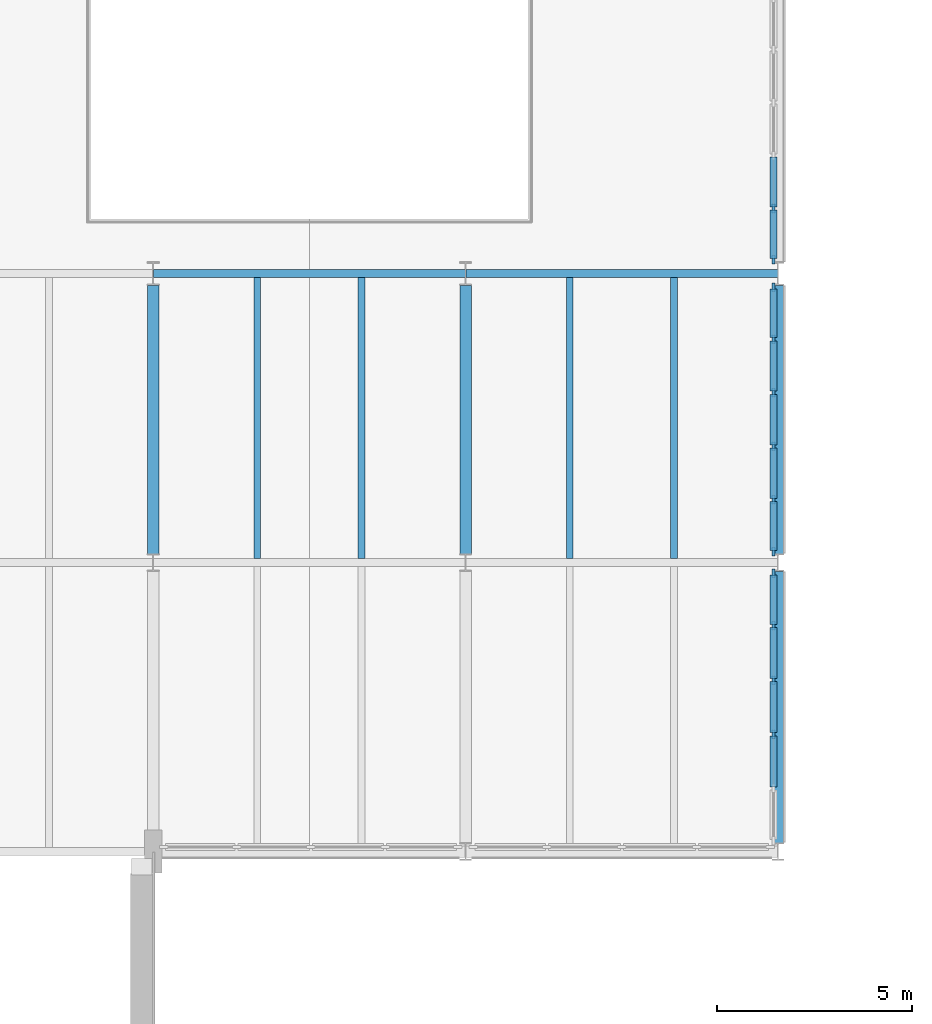
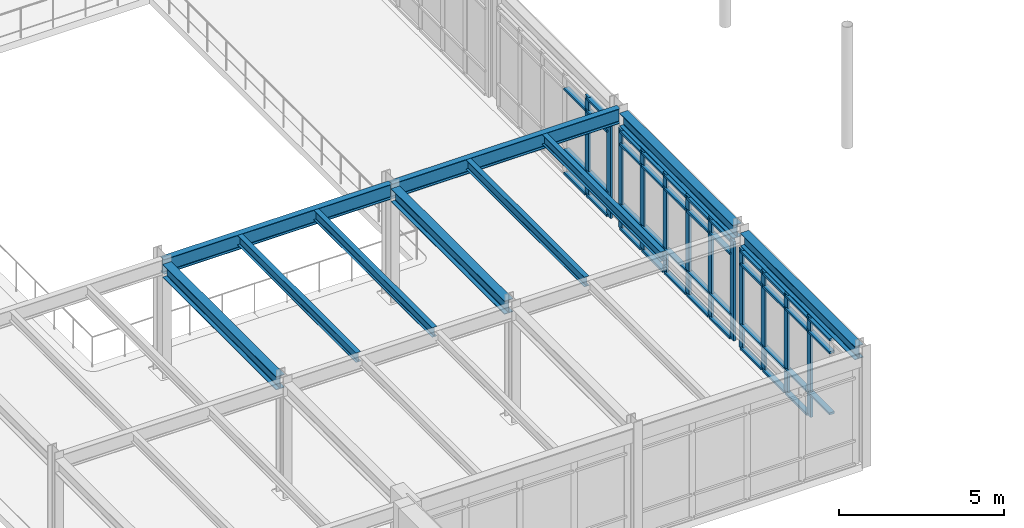
# One storey, part 21 of 75: 54 members, 10 beams, 3 elements without a shape of their own.
"""IFC4 building model written with IfcOpenShell, lengths in metres."""

from ifc_helpers import new_model, si_unit, direction, frame, origin, origin_2d, place, context, subcontext, project, spatial, rectangle, i_section, extrude, material, layer, layer_set, material_profile, profile_set, type_object, element, aggregate, save


model = new_model("IFC4")

# Units and contexts
model_context = context("Model", 3, precision=1e-05, world=origin(), true_north=direction((0.0, 1.0)))
body_context = subcontext(model_context, "Body", "Model", "MODEL_VIEW")
ifc_project = project(units=[si_unit("LENGTHUNIT", "METRE"), si_unit("AREAUNIT", "SQUARE_METRE"), si_unit("VOLUMEUNIT", "CUBIC_METRE"), si_unit("PLANEANGLEUNIT", "RADIAN"), si_unit("MASSUNIT", "GRAM", prefix="KILO")], contexts=[model_context])

# Site, building, storey
site_placement = place(None, origin())
site = spatial("IfcSite", under=ifc_project, at=site_placement, CompositionType="ELEMENT")
building_placement = place(site_placement, origin())
building = spatial("IfcBuilding", under=site, at=building_placement, Name="Valkorina Park Police Headquarters", CompositionType="ELEMENT")
storey_placement = place(building_placement, frame((0.0, 0.0, 5.39990234375)))
storey = spatial("IfcBuildingStorey", under=building, at=storey_placement, Name="L02", CompositionType="ELEMENT", Elevation=5.39990234375)

# Beams
ifc_material_1 = material(Name="Steel S355", Category="steel")
ifc_material_profile_1 = material_profile(ifc_material_1, i_section(OverallWidth=0.300048828125, OverallDepth=0.489990234375, WebThickness=0.011962890625, FlangeThickness=0.02294921875, FilletRadius=0.027099609375, at=origin_2d()), Name="HEA 500")
ifc_profile_set_1 = profile_set([ifc_material_profile_1], Name="Steel S355")
beam_type_1 = type_object("IfcBeamType", Name="BM-S355-HEA500-BM", PredefinedType="BEAM", material=ifc_profile_set_1)
for number, where, z_axis, x_axis, name in (
    (1, (64.800048828125, 29.824951171875, 3.9951171875), (0.0, 1.0, 0.0), (-1.0, 0.0, 0.0), "L02 Framing Beam 1614"),
    (2, (72.800048828125, 29.824951171875, 3.9951171875), (0.0, 1.0, 0.0), (-1.0, 0.0, 0.0), "L02 Framing Beam 1629"),
):
    element("IfcBeam", number, at=place(storey_placement, frame(where, z_axis=z_axis, x_axis=x_axis)), inside=storey, type_object=beam_type_1, Name=name, PredefinedType="BEAM", context=body_context, shape_type="SweptSolid", body=[
        extrude(i_section(OverallWidth=0.300048828125, OverallDepth=0.489990234375, WebThickness=0.011962890625, FlangeThickness=0.02294921875, FilletRadius=0.027099609375, at=origin_2d()), origin(), (0.0, 0.0, 1.0), 6.875),
    ])
ifc_material_profile_2 = material_profile(ifc_material_1, i_section(OverallWidth=0.300048828125, OverallDepth=0.489990234375, WebThickness=0.011962890625, FlangeThickness=0.02294921875, FilletRadius=0.027099609375, at=origin_2d()), Name="HEA 500")
ifc_profile_set_2 = profile_set([ifc_material_profile_2], Name="Steel S355")
beam_type_2 = type_object("IfcBeamType", Name="BM-S355-HEA500-SPN", PredefinedType="SPANDREL", material=ifc_profile_set_2)
beam_1_placement = place(storey_placement, frame((80.800048828125, 22.425048828125, 3.9951171875), z_axis=(0.0, 1.0, 0.0), x_axis=(-1.0, 0.0, 0.0)))
element("IfcBeam", 3, at=beam_1_placement, inside=storey, type_object=beam_type_2, Name="L02 Framing Beam 1641", PredefinedType="SPANDREL", context=body_context, shape_type="SweptSolid", body=[
    extrude(i_section(OverallWidth=0.300048828125, OverallDepth=0.489990234375, WebThickness=0.011962890625, FlangeThickness=0.02294921875, FilletRadius=0.027099609375, at=origin_2d()), origin(), (0.0, 0.0, 1.0), 6.949951171875),
])
beam_2_placement = place(storey_placement, frame((80.800048828125, 29.824951171875, 3.9951171875), z_axis=(0.0, 1.0, 0.0), x_axis=(-1.0, 0.0, 0.0)))
element("IfcBeam", 4, at=beam_2_placement, inside=storey, type_object=beam_type_2, Name="L02 Framing Beam 1642", PredefinedType="SPANDREL", context=body_context, shape_type="SweptSolid", body=[
    extrude(i_section(OverallWidth=0.300048828125, OverallDepth=0.489990234375, WebThickness=0.011962890625, FlangeThickness=0.02294921875, FilletRadius=0.027099609375, at=origin_2d()), origin(), (0.0, 0.0, 1.0), 6.875),
])
ifc_material_profile_3 = material_profile(ifc_material_1, i_section(OverallWidth=0.169921875, OverallDepth=0.360107421875, WebThickness=0.008056640625, FlangeThickness=0.0126953125, FilletRadius=0.01806640625, at=origin_2d()), Name="IPE 360")
ifc_profile_set_3 = profile_set([ifc_material_profile_3], Name="Steel S355")
beam_type_3 = type_object("IfcBeamType", Name="BM-S355-IPE360-JST", PredefinedType="JOIST", material=ifc_profile_set_3)
for number, where, z_axis, x_axis, name in (
    (5, (67.466796875, 29.705078125, 4.06005859375), (0.0, 1.0, 0.0), (-1.0, 0.0, 0.0), "L02 Framing Beam 1615"),
    (6, (70.13330078125, 29.705078125, 4.06005859375), (0.0, 1.0, 0.0), (-1.0, 0.0, 0.0), "L02 Framing Beam 1616"),
    (7, (75.466796875, 29.705078125, 4.06005859375), (0.0, 1.0, 0.0), (-1.0, 0.0, 0.0), "L02 Framing Beam 1630"),
    (8, (78.13330078125, 29.705078125, 4.06005859375), (0.0, 1.0, 0.0), (-1.0, 0.0, 0.0), "L02 Framing Beam 1631"),
):
    element("IfcBeam", number, at=place(storey_placement, frame(where, z_axis=z_axis, x_axis=x_axis)), inside=storey, type_object=beam_type_3, Name=name, PredefinedType="JOIST", context=body_context, shape_type="SweptSolid", body=[
        extrude(i_section(OverallWidth=0.169921875, OverallDepth=0.360107421875, WebThickness=0.008056640625, FlangeThickness=0.0126953125, FilletRadius=0.01806640625, at=origin_2d()), origin(), (0.0, 0.0, 1.0), 7.18994140625),
    ])
ifc_material_profile_4 = material_profile(ifc_material_1, i_section(OverallWidth=0.2099609375, OverallDepth=0.550048828125, WebThickness=0.010986328125, FlangeThickness=0.01708984375, FilletRadius=0.02392578125, at=origin_2d()), Name="IPE 550")
ifc_profile_set_4 = profile_set([ifc_material_profile_4], Name="Steel S355")
beam_type_4 = type_object("IfcBeamType", Name="BM-S355-IPE550-BM", PredefinedType="BEAM", material=ifc_profile_set_4)
for number, where, z_axis, x_axis, name in (
    (9, (64.8076171875, 37.0, 3.965087890625), (1.0, 0.0, 0.0), (0.0, 1.0, 0.0), "L02 Framing Beam 1320"),
    (10, (72.8076171875, 37.0, 3.965087890625), (1.0, 0.0, 0.0), (0.0, 1.0, 0.0), "L02 Framing Beam 1321"),
):
    element("IfcBeam", number, at=place(storey_placement, frame(where, z_axis=z_axis, x_axis=x_axis)), inside=storey, type_object=beam_type_4, Name=name, PredefinedType="BEAM", context=body_context, shape_type="SweptSolid", body=[
        extrude(i_section(OverallWidth=0.2099609375, OverallDepth=0.550048828125, WebThickness=0.010986328125, FlangeThickness=0.01708984375, FilletRadius=0.02392578125, at=origin_2d()), origin(), (0.0, 0.0, 1.0), 7.984619140625),
    ])

# Curtain wall, members
ifc_material_2 = material(Name="Thermally broken aluminium AW-6060", Category="aluminium")
ifc_layer_1 = layer(ifc_material_2, 0.18994140625)
ifc_layer_set_1 = layer_set([ifc_layer_1], Name="Thermally broken aluminium AW-6060")
curtain_wall_type_1 = type_object("IfcCurtainWallType", Name="CW-V4-6780x3680", PredefinedType="NOTDEFINED", material=ifc_layer_set_1)
curtain_wall_1_placement = place(storey_placement, origin())
curtain_wall_1 = element("IfcCurtainWall", 11, at=curtain_wall_1_placement, inside=storey, type_object=curtain_wall_type_1, Name="L02 Unitised Curtain Wall 011", PredefinedType="NOTDEFINED")
ifc_material_profile_5 = material_profile(ifc_material_2, rectangle(XDim=0.080078125, YDim=0.219970703125, at=origin_2d()), Name="CWM-03 80x220")
ifc_profile_set_5 = profile_set([ifc_material_profile_5], Name="Thermally broken aluminium AW-6060")
member_type_1 = type_object("IfcMemberType", Name="CWM-80x220", PredefinedType="MULLION", material=ifc_profile_set_5)
member_1_placement = place(storey_placement, frame((80.679931640625, 38.666015625, 0.0), z_axis=(0.0, 0.0, 1.0), x_axis=(1.0, 0.0, 0.0)))
member_1 = element("IfcMember", 12, at=member_1_placement, type_object=member_type_1, Name="CW-V4-678-368 mullion 5", PredefinedType="MULLION", context=body_context, shape_type="SweptSolid", body=[
    extrude(rectangle(XDim=0.080078125, YDim=0.219970703125, at=origin_2d()), origin(), (0.0, 0.0, 1.0), 3.68017578125),
])
member_2_placement = place(storey_placement, frame((80.679931640625, 37.35009765625, 0.0), z_axis=(0.0, 0.0, 1.0), x_axis=(1.0, 0.0, 0.0)))
member_2 = element("IfcMember", 13, at=member_2_placement, type_object=member_type_1, Name="CW-V4-678-368 mullion 6", PredefinedType="MULLION", context=body_context, shape_type="SweptSolid", body=[
    extrude(rectangle(XDim=0.080078125, YDim=0.219970703125, at=origin_2d()), origin(), (0.0, 0.0, 1.0), 3.68017578125),
])

ifc_layer_2 = layer(ifc_material_2, 0.18994140625)
ifc_layer_set_2 = layer_set([ifc_layer_2], Name="Thermally broken aluminium AW-6060")
curtain_wall_type_2 = type_object("IfcCurtainWallType", Name="CW-V4-6860x3680", PredefinedType="NOTDEFINED", material=ifc_layer_set_2)
curtain_wall_2_placement = place(storey_placement, origin())
curtain_wall_2 = element("IfcCurtainWall", 14, at=curtain_wall_2_placement, inside=storey, type_object=curtain_wall_type_2, Name="L02 Unitised Curtain Wall 012", PredefinedType="NOTDEFINED")
member_3_placement = place(storey_placement, frame((80.679931640625, 36.64990234375, 0.0), z_axis=(0.0, 0.0, 1.0), x_axis=(1.0, 0.0, 0.0)))
member_3 = element("IfcMember", 15, at=member_3_placement, type_object=member_type_1, Name="CW-V4-686-368 mullion 1", PredefinedType="MULLION", context=body_context, shape_type="SweptSolid", body=[
    extrude(rectangle(XDim=0.080078125, YDim=0.219970703125, at=origin_2d()), origin(), (0.0, 0.0, 1.0), 3.68017578125),
])
member_4_placement = place(storey_placement, frame((80.679931640625, 35.319091796875, 0.0), z_axis=(0.0, 0.0, 1.0), x_axis=(1.0, 0.0, 0.0)))
member_4 = element("IfcMember", 16, at=member_4_placement, type_object=member_type_1, Name="CW-V4-686-368 mullion 2", PredefinedType="MULLION", context=body_context, shape_type="SweptSolid", body=[
    extrude(rectangle(XDim=0.080078125, YDim=0.219970703125, at=origin_2d()), origin(), (0.0, 0.0, 1.0), 3.68017578125),
])
member_5_placement = place(storey_placement, frame((80.679931640625, 33.947998046875, 0.0), z_axis=(0.0, 0.0, 1.0), x_axis=(1.0, 0.0, 0.0)))
member_5 = element("IfcMember", 17, at=member_5_placement, type_object=member_type_1, Name="CW-V4-686-368 mullion 3", PredefinedType="MULLION", context=body_context, shape_type="SweptSolid", body=[
    extrude(rectangle(XDim=0.080078125, YDim=0.219970703125, at=origin_2d()), origin(), (0.0, 0.0, 1.0), 3.68017578125),
])
member_6_placement = place(storey_placement, frame((80.679931640625, 32.576904296875, 0.0), z_axis=(0.0, 0.0, 1.0), x_axis=(1.0, 0.0, 0.0)))
member_6 = element("IfcMember", 18, at=member_6_placement, type_object=member_type_1, Name="CW-V4-686-368 mullion 4", PredefinedType="MULLION", context=body_context, shape_type="SweptSolid", body=[
    extrude(rectangle(XDim=0.080078125, YDim=0.219970703125, at=origin_2d()), origin(), (0.0, 0.0, 1.0), 3.68017578125),
])
member_7_placement = place(storey_placement, frame((80.679931640625, 31.2060546875, 0.0), z_axis=(0.0, 0.0, 1.0), x_axis=(1.0, 0.0, 0.0)))
member_7 = element("IfcMember", 19, at=member_7_placement, type_object=member_type_1, Name="CW-V4-686-368 mullion 5", PredefinedType="MULLION", context=body_context, shape_type="SweptSolid", body=[
    extrude(rectangle(XDim=0.080078125, YDim=0.219970703125, at=origin_2d()), origin(), (0.0, 0.0, 1.0), 3.68017578125),
])
member_8_placement = place(storey_placement, frame((80.679931640625, 29.875, 0.0), z_axis=(0.0, 0.0, 1.0), x_axis=(1.0, 0.0, 0.0)))
member_8 = element("IfcMember", 20, at=member_8_placement, type_object=member_type_1, Name="CW-V4-686-368 mullion 6", PredefinedType="MULLION", context=body_context, shape_type="SweptSolid", body=[
    extrude(rectangle(XDim=0.080078125, YDim=0.219970703125, at=origin_2d()), origin(), (0.0, 0.0, 1.0), 3.68017578125),
])

ifc_layer_3 = layer(ifc_material_2, 0.18994140625)
ifc_layer_set_3 = layer_set([ifc_layer_3], Name="Thermally broken aluminium AW-6060")
curtain_wall_type_3 = type_object("IfcCurtainWallType", Name="CW-V4-6930x3680", PredefinedType="NOTDEFINED", material=ifc_layer_set_3)
curtain_wall_3_placement = place(storey_placement, origin())
curtain_wall_3 = element("IfcCurtainWall", 21, at=curtain_wall_3_placement, inside=storey, type_object=curtain_wall_type_3, Name="L02 Unitised Curtain Wall 013", PredefinedType="NOTDEFINED")
member_9_placement = place(storey_placement, frame((80.679931640625, 29.324951171875, 0.0), z_axis=(0.0, 0.0, 1.0), x_axis=(1.0, 0.0, 0.0)))
member_9 = element("IfcMember", 22, at=member_9_placement, type_object=member_type_1, Name="CW-V4-693-368 mullion 1", PredefinedType="MULLION", context=body_context, shape_type="SweptSolid", body=[
    extrude(rectangle(XDim=0.080078125, YDim=0.219970703125, at=origin_2d()), origin(), (0.0, 0.0, 1.0), 3.68017578125),
])
member_10_placement = place(storey_placement, frame((80.679931640625, 27.97900390625, 0.0), z_axis=(0.0, 0.0, 1.0), x_axis=(1.0, 0.0, 0.0)))
member_10 = element("IfcMember", 23, at=member_10_placement, type_object=member_type_1, Name="CW-V4-693-368 mullion 2", PredefinedType="MULLION", context=body_context, shape_type="SweptSolid", body=[
    extrude(rectangle(XDim=0.080078125, YDim=0.219970703125, at=origin_2d()), origin(), (0.0, 0.0, 1.0), 3.68017578125),
])
member_11_placement = place(storey_placement, frame((80.679931640625, 26.593017578125, 0.0), z_axis=(0.0, 0.0, 1.0), x_axis=(1.0, 0.0, 0.0)))
member_11 = element("IfcMember", 24, at=member_11_placement, type_object=member_type_1, Name="CW-V4-693-368 mullion 3", PredefinedType="MULLION", context=body_context, shape_type="SweptSolid", body=[
    extrude(rectangle(XDim=0.080078125, YDim=0.219970703125, at=origin_2d()), origin(), (0.0, 0.0, 1.0), 3.68017578125),
])
member_12_placement = place(storey_placement, frame((80.679931640625, 25.20703125, 0.0), z_axis=(0.0, 0.0, 1.0), x_axis=(1.0, 0.0, 0.0)))
member_12 = element("IfcMember", 25, at=member_12_placement, type_object=member_type_1, Name="CW-V4-693-368 mullion 4", PredefinedType="MULLION", context=body_context, shape_type="SweptSolid", body=[
    extrude(rectangle(XDim=0.080078125, YDim=0.219970703125, at=origin_2d()), origin(), (0.0, 0.0, 1.0), 3.68017578125),
])

# Member
ifc_material_profile_6 = material_profile(ifc_material_2, rectangle(XDim=0.179931640625, YDim=0.080078125, at=origin_2d()), Name="CWT-03 180x80")
ifc_profile_set_6 = profile_set([ifc_material_profile_6], Name="Thermally broken aluminium AW-6060")
member_type_2 = type_object("IfcMemberType", Name="CWT-180x80", PredefinedType="USERDEFINED", material=ifc_profile_set_6)
member_13_placement = place(storey_placement, frame((80.679931640625, 39.98193359375, 0.0400390625), z_axis=(0.0, -1.0, 0.0), x_axis=(1.0, 0.0, 0.0)))
member_13 = element("IfcMember", 26, at=member_13_placement, type_object=member_type_2, Name="CW-V4-678-368 transom 4.1", ObjectType="TRANSOM", PredefinedType="USERDEFINED", context=body_context, shape_type="SweptSolid", body=[
    extrude(rectangle(XDim=0.179931640625, YDim=0.080078125, at=origin_2d()), origin(), (0.0, 0.0, 1.0), 1.27587890625),
])

member_14_placement = place(storey_placement, frame((80.679931640625, 39.98193359375, 0.900146484375), z_axis=(0.0, -1.0, 0.0), x_axis=(1.0, 0.0, 0.0)))
member_14 = element("IfcMember", 27, at=member_14_placement, type_object=member_type_2, Name="CW-V4-678-368 transom 4.2", ObjectType="TRANSOM", PredefinedType="USERDEFINED", context=body_context, shape_type="SweptSolid", body=[
    extrude(rectangle(XDim=0.179931640625, YDim=0.080078125, at=origin_2d()), origin(), (0.0, 0.0, 1.0), 1.27587890625),
])

member_15_placement = place(storey_placement, frame((80.679931640625, 39.98193359375, 3.16015625), z_axis=(0.0, -1.0, 0.0), x_axis=(1.0, 0.0, 0.0)))
member_15 = element("IfcMember", 28, at=member_15_placement, type_object=member_type_2, Name="CW-V4-678-368 transom 4.3", ObjectType="TRANSOM", PredefinedType="USERDEFINED", context=body_context, shape_type="SweptSolid", body=[
    extrude(rectangle(XDim=0.179931640625, YDim=0.080078125, at=origin_2d()), origin(), (0.0, 0.0, 1.0), 1.27587890625),
])

member_16_placement = place(storey_placement, frame((80.679931640625, 38.6259765625, 0.0400390625), z_axis=(0.0, -1.0, 0.0), x_axis=(1.0, 0.0, 0.0)))
member_16 = element("IfcMember", 29, at=member_16_placement, type_object=member_type_2, Name="CW-V4-678-368 transom 5.1", ObjectType="TRANSOM", PredefinedType="USERDEFINED", context=body_context, shape_type="SweptSolid", body=[
    extrude(rectangle(XDim=0.179931640625, YDim=0.080078125, at=origin_2d()), origin(), (0.0, 0.0, 1.0), 1.236083984375),
])

member_17_placement = place(storey_placement, frame((80.679931640625, 38.6259765625, 0.900146484375), z_axis=(0.0, -1.0, 0.0), x_axis=(1.0, 0.0, 0.0)))
member_17 = element("IfcMember", 30, at=member_17_placement, type_object=member_type_2, Name="CW-V4-678-368 transom 5.2", ObjectType="TRANSOM", PredefinedType="USERDEFINED", context=body_context, shape_type="SweptSolid", body=[
    extrude(rectangle(XDim=0.179931640625, YDim=0.080078125, at=origin_2d()), origin(), (0.0, 0.0, 1.0), 1.236083984375),
])

member_18_placement = place(storey_placement, frame((80.679931640625, 38.6259765625, 3.16015625), z_axis=(0.0, -1.0, 0.0), x_axis=(1.0, 0.0, 0.0)))
member_18 = element("IfcMember", 31, at=member_18_placement, type_object=member_type_2, Name="CW-V4-678-368 transom 5.3", ObjectType="TRANSOM", PredefinedType="USERDEFINED", context=body_context, shape_type="SweptSolid", body=[
    extrude(rectangle(XDim=0.179931640625, YDim=0.080078125, at=origin_2d()), origin(), (0.0, 0.0, 1.0), 1.236083984375),
])

member_19_placement = place(storey_placement, frame((80.679931640625, 38.6259765625, 3.64013671875), z_axis=(0.0, -1.0, 0.0), x_axis=(1.0, 0.0, 0.0)))
member_19 = element("IfcMember", 32, at=member_19_placement, type_object=member_type_2, Name="CW-V4-678-368 transom 5.4", ObjectType="TRANSOM", PredefinedType="USERDEFINED", context=body_context, shape_type="SweptSolid", body=[
    extrude(rectangle(XDim=0.179931640625, YDim=0.080078125, at=origin_2d()), origin(), (0.0, 0.0, 1.0), 1.236083984375),
])

aggregate(curtain_wall_1, [member_1, member_2, member_13, member_14, member_15, member_16, member_17, member_18, member_19])

member_20_placement = place(storey_placement, frame((80.679931640625, 36.610107421875, 0.0400390625), z_axis=(0.0, -1.0, 0.0), x_axis=(1.0, 0.0, 0.0)))
member_20 = element("IfcMember", 33, at=member_20_placement, type_object=member_type_2, Name="CW-V4-686-368 transom 1.1", ObjectType="TRANSOM", PredefinedType="USERDEFINED", context=body_context, shape_type="SweptSolid", body=[
    extrude(rectangle(XDim=0.179931640625, YDim=0.080078125, at=origin_2d()), origin(), (0.0, 0.0, 1.0), 1.251220703125),
])

member_21_placement = place(storey_placement, frame((80.679931640625, 36.610107421875, 0.900146484375), z_axis=(0.0, -1.0, 0.0), x_axis=(1.0, 0.0, 0.0)))
member_21 = element("IfcMember", 34, at=member_21_placement, type_object=member_type_2, Name="CW-V4-686-368 transom 1.2", ObjectType="TRANSOM", PredefinedType="USERDEFINED", context=body_context, shape_type="SweptSolid", body=[
    extrude(rectangle(XDim=0.179931640625, YDim=0.080078125, at=origin_2d()), origin(), (0.0, 0.0, 1.0), 1.251220703125),
])

member_22_placement = place(storey_placement, frame((80.679931640625, 36.610107421875, 3.16015625), z_axis=(0.0, -1.0, 0.0), x_axis=(1.0, 0.0, 0.0)))
member_22 = element("IfcMember", 35, at=member_22_placement, type_object=member_type_2, Name="CW-V4-686-368 transom 1.3", ObjectType="TRANSOM", PredefinedType="USERDEFINED", context=body_context, shape_type="SweptSolid", body=[
    extrude(rectangle(XDim=0.179931640625, YDim=0.080078125, at=origin_2d()), origin(), (0.0, 0.0, 1.0), 1.251220703125),
])

member_23_placement = place(storey_placement, frame((80.679931640625, 36.610107421875, 3.64013671875), z_axis=(0.0, -1.0, 0.0), x_axis=(1.0, 0.0, 0.0)))
member_23 = element("IfcMember", 36, at=member_23_placement, type_object=member_type_2, Name="CW-V4-686-368 transom 1.4", ObjectType="TRANSOM", PredefinedType="USERDEFINED", context=body_context, shape_type="SweptSolid", body=[
    extrude(rectangle(XDim=0.179931640625, YDim=0.080078125, at=origin_2d()), origin(), (0.0, 0.0, 1.0), 1.251220703125),
])

member_24_placement = place(storey_placement, frame((80.679931640625, 35.279052734375, 0.0400390625), z_axis=(0.0, -1.0, 0.0), x_axis=(1.0, 0.0, 0.0)))
member_24 = element("IfcMember", 37, at=member_24_placement, type_object=member_type_2, Name="CW-V4-686-368 transom 2.1", ObjectType="TRANSOM", PredefinedType="USERDEFINED", context=body_context, shape_type="SweptSolid", body=[
    extrude(rectangle(XDim=0.179931640625, YDim=0.080078125, at=origin_2d()), origin(), (0.0, 0.0, 1.0), 1.291015625),
])

member_25_placement = place(storey_placement, frame((80.679931640625, 35.279052734375, 0.900146484375), z_axis=(0.0, -1.0, 0.0), x_axis=(1.0, 0.0, 0.0)))
member_25 = element("IfcMember", 38, at=member_25_placement, type_object=member_type_2, Name="CW-V4-686-368 transom 2.2", ObjectType="TRANSOM", PredefinedType="USERDEFINED", context=body_context, shape_type="SweptSolid", body=[
    extrude(rectangle(XDim=0.179931640625, YDim=0.080078125, at=origin_2d()), origin(), (0.0, 0.0, 1.0), 1.291015625),
])

member_26_placement = place(storey_placement, frame((80.679931640625, 35.279052734375, 3.16015625), z_axis=(0.0, -1.0, 0.0), x_axis=(1.0, 0.0, 0.0)))
member_26 = element("IfcMember", 39, at=member_26_placement, type_object=member_type_2, Name="CW-V4-686-368 transom 2.3", ObjectType="TRANSOM", PredefinedType="USERDEFINED", context=body_context, shape_type="SweptSolid", body=[
    extrude(rectangle(XDim=0.179931640625, YDim=0.080078125, at=origin_2d()), origin(), (0.0, 0.0, 1.0), 1.291015625),
])

member_27_placement = place(storey_placement, frame((80.679931640625, 35.279052734375, 3.64013671875), z_axis=(0.0, -1.0, 0.0), x_axis=(1.0, 0.0, 0.0)))
member_27 = element("IfcMember", 40, at=member_27_placement, type_object=member_type_2, Name="CW-V4-686-368 transom 2.4", ObjectType="TRANSOM", PredefinedType="USERDEFINED", context=body_context, shape_type="SweptSolid", body=[
    extrude(rectangle(XDim=0.179931640625, YDim=0.080078125, at=origin_2d()), origin(), (0.0, 0.0, 1.0), 1.291015625),
])

member_28_placement = place(storey_placement, frame((80.679931640625, 33.907958984375, 0.0400390625), z_axis=(0.0, -1.0, 0.0), x_axis=(1.0, 0.0, 0.0)))
member_28 = element("IfcMember", 41, at=member_28_placement, type_object=member_type_2, Name="CW-V4-686-368 transom 3.1", ObjectType="TRANSOM", PredefinedType="USERDEFINED", context=body_context, shape_type="SweptSolid", body=[
    extrude(rectangle(XDim=0.179931640625, YDim=0.080078125, at=origin_2d()), origin(), (0.0, 0.0, 1.0), 1.291015625),
])

member_29_placement = place(storey_placement, frame((80.679931640625, 33.907958984375, 0.900146484375), z_axis=(0.0, -1.0, 0.0), x_axis=(1.0, 0.0, 0.0)))
member_29 = element("IfcMember", 42, at=member_29_placement, type_object=member_type_2, Name="CW-V4-686-368 transom 3.2", ObjectType="TRANSOM", PredefinedType="USERDEFINED", context=body_context, shape_type="SweptSolid", body=[
    extrude(rectangle(XDim=0.179931640625, YDim=0.080078125, at=origin_2d()), origin(), (0.0, 0.0, 1.0), 1.291015625),
])

member_30_placement = place(storey_placement, frame((80.679931640625, 33.907958984375, 3.16015625), z_axis=(0.0, -1.0, 0.0), x_axis=(1.0, 0.0, 0.0)))
member_30 = element("IfcMember", 43, at=member_30_placement, type_object=member_type_2, Name="CW-V4-686-368 transom 3.3", ObjectType="TRANSOM", PredefinedType="USERDEFINED", context=body_context, shape_type="SweptSolid", body=[
    extrude(rectangle(XDim=0.179931640625, YDim=0.080078125, at=origin_2d()), origin(), (0.0, 0.0, 1.0), 1.291015625),
])

member_31_placement = place(storey_placement, frame((80.679931640625, 33.907958984375, 3.64013671875), z_axis=(0.0, -1.0, 0.0), x_axis=(1.0, 0.0, 0.0)))
member_31 = element("IfcMember", 44, at=member_31_placement, type_object=member_type_2, Name="CW-V4-686-368 transom 3.4", ObjectType="TRANSOM", PredefinedType="USERDEFINED", context=body_context, shape_type="SweptSolid", body=[
    extrude(rectangle(XDim=0.179931640625, YDim=0.080078125, at=origin_2d()), origin(), (0.0, 0.0, 1.0), 1.291015625),
])

member_32_placement = place(storey_placement, frame((80.679931640625, 32.537109375, 0.0400390625), z_axis=(0.0, -1.0, 0.0), x_axis=(1.0, 0.0, 0.0)))
member_32 = element("IfcMember", 45, at=member_32_placement, type_object=member_type_2, Name="CW-V4-686-368 transom 4.1", ObjectType="TRANSOM", PredefinedType="USERDEFINED", context=body_context, shape_type="SweptSolid", body=[
    extrude(rectangle(XDim=0.179931640625, YDim=0.080078125, at=origin_2d()), origin(), (0.0, 0.0, 1.0), 1.291015625),
])

member_33_placement = place(storey_placement, frame((80.679931640625, 32.537109375, 0.900146484375), z_axis=(0.0, -1.0, 0.0), x_axis=(1.0, 0.0, 0.0)))
member_33 = element("IfcMember", 46, at=member_33_placement, type_object=member_type_2, Name="CW-V4-686-368 transom 4.2", ObjectType="TRANSOM", PredefinedType="USERDEFINED", context=body_context, shape_type="SweptSolid", body=[
    extrude(rectangle(XDim=0.179931640625, YDim=0.080078125, at=origin_2d()), origin(), (0.0, 0.0, 1.0), 1.291015625),
])

member_34_placement = place(storey_placement, frame((80.679931640625, 32.537109375, 3.16015625), z_axis=(0.0, -1.0, 0.0), x_axis=(1.0, 0.0, 0.0)))
member_34 = element("IfcMember", 47, at=member_34_placement, type_object=member_type_2, Name="CW-V4-686-368 transom 4.3", ObjectType="TRANSOM", PredefinedType="USERDEFINED", context=body_context, shape_type="SweptSolid", body=[
    extrude(rectangle(XDim=0.179931640625, YDim=0.080078125, at=origin_2d()), origin(), (0.0, 0.0, 1.0), 1.291015625),
])

member_35_placement = place(storey_placement, frame((80.679931640625, 32.537109375, 3.64013671875), z_axis=(0.0, -1.0, 0.0), x_axis=(1.0, 0.0, 0.0)))
member_35 = element("IfcMember", 48, at=member_35_placement, type_object=member_type_2, Name="CW-V4-686-368 transom 4.4", ObjectType="TRANSOM", PredefinedType="USERDEFINED", context=body_context, shape_type="SweptSolid", body=[
    extrude(rectangle(XDim=0.179931640625, YDim=0.080078125, at=origin_2d()), origin(), (0.0, 0.0, 1.0), 1.291015625),
])

member_36_placement = place(storey_placement, frame((80.679931640625, 31.166015625, 0.0400390625), z_axis=(0.0, -1.0, 0.0), x_axis=(1.0, 0.0, 0.0)))
member_36 = element("IfcMember", 49, at=member_36_placement, type_object=member_type_2, Name="CW-V4-686-368 transom 5.1", ObjectType="TRANSOM", PredefinedType="USERDEFINED", context=body_context, shape_type="SweptSolid", body=[
    extrude(rectangle(XDim=0.179931640625, YDim=0.080078125, at=origin_2d()), origin(), (0.0, 0.0, 1.0), 1.2509765625),
])

member_37_placement = place(storey_placement, frame((80.679931640625, 31.166015625, 0.900146484375), z_axis=(0.0, -1.0, 0.0), x_axis=(1.0, 0.0, 0.0)))
member_37 = element("IfcMember", 50, at=member_37_placement, type_object=member_type_2, Name="CW-V4-686-368 transom 5.2", ObjectType="TRANSOM", PredefinedType="USERDEFINED", context=body_context, shape_type="SweptSolid", body=[
    extrude(rectangle(XDim=0.179931640625, YDim=0.080078125, at=origin_2d()), origin(), (0.0, 0.0, 1.0), 1.2509765625),
])

member_38_placement = place(storey_placement, frame((80.679931640625, 31.166015625, 3.16015625), z_axis=(0.0, -1.0, 0.0), x_axis=(1.0, 0.0, 0.0)))
member_38 = element("IfcMember", 51, at=member_38_placement, type_object=member_type_2, Name="CW-V4-686-368 transom 5.3", ObjectType="TRANSOM", PredefinedType="USERDEFINED", context=body_context, shape_type="SweptSolid", body=[
    extrude(rectangle(XDim=0.179931640625, YDim=0.080078125, at=origin_2d()), origin(), (0.0, 0.0, 1.0), 1.2509765625),
])

member_39_placement = place(storey_placement, frame((80.679931640625, 31.166015625, 3.64013671875), z_axis=(0.0, -1.0, 0.0), x_axis=(1.0, 0.0, 0.0)))
member_39 = element("IfcMember", 52, at=member_39_placement, type_object=member_type_2, Name="CW-V4-686-368 transom 5.4", ObjectType="TRANSOM", PredefinedType="USERDEFINED", context=body_context, shape_type="SweptSolid", body=[
    extrude(rectangle(XDim=0.179931640625, YDim=0.080078125, at=origin_2d()), origin(), (0.0, 0.0, 1.0), 1.2509765625),
])

aggregate(curtain_wall_2, [member_3, member_4, member_5, member_6, member_7, member_8, member_20, member_21, member_22, member_23, member_24, member_25, member_26, member_27, member_28, member_29, member_30, member_31, member_32, member_33, member_34, member_35, member_36, member_37, member_38, member_39])

member_40_placement = place(storey_placement, frame((80.679931640625, 29.284912109375, 0.0400390625), z_axis=(0.0, -1.0, 0.0), x_axis=(1.0, 0.0, 0.0)))
member_40 = element("IfcMember", 53, at=member_40_placement, type_object=member_type_2, Name="CW-V4-693-368 transom 1.1", ObjectType="TRANSOM", PredefinedType="USERDEFINED", context=body_context, shape_type="SweptSolid", body=[
    extrude(rectangle(XDim=0.179931640625, YDim=0.080078125, at=origin_2d()), origin(), (0.0, 0.0, 1.0), 1.265869140625),
])

member_41_placement = place(storey_placement, frame((80.679931640625, 29.284912109375, 0.900146484375), z_axis=(0.0, -1.0, 0.0), x_axis=(1.0, 0.0, 0.0)))
member_41 = element("IfcMember", 54, at=member_41_placement, type_object=member_type_2, Name="CW-V4-693-368 transom 1.2", ObjectType="TRANSOM", PredefinedType="USERDEFINED", context=body_context, shape_type="SweptSolid", body=[
    extrude(rectangle(XDim=0.179931640625, YDim=0.080078125, at=origin_2d()), origin(), (0.0, 0.0, 1.0), 1.265869140625),
])

member_42_placement = place(storey_placement, frame((80.679931640625, 29.284912109375, 3.16015625), z_axis=(0.0, -1.0, 0.0), x_axis=(1.0, 0.0, 0.0)))
member_42 = element("IfcMember", 55, at=member_42_placement, type_object=member_type_2, Name="CW-V4-693-368 transom 1.3", ObjectType="TRANSOM", PredefinedType="USERDEFINED", context=body_context, shape_type="SweptSolid", body=[
    extrude(rectangle(XDim=0.179931640625, YDim=0.080078125, at=origin_2d()), origin(), (0.0, 0.0, 1.0), 1.265869140625),
])

member_43_placement = place(storey_placement, frame((80.679931640625, 29.284912109375, 3.64013671875), z_axis=(0.0, -1.0, 0.0), x_axis=(1.0, 0.0, 0.0)))
member_43 = element("IfcMember", 56, at=member_43_placement, type_object=member_type_2, Name="CW-V4-693-368 transom 1.4", ObjectType="TRANSOM", PredefinedType="USERDEFINED", context=body_context, shape_type="SweptSolid", body=[
    extrude(rectangle(XDim=0.179931640625, YDim=0.080078125, at=origin_2d()), origin(), (0.0, 0.0, 1.0), 1.265869140625),
])

member_44_placement = place(storey_placement, frame((80.679931640625, 27.93896484375, 0.0400390625), z_axis=(0.0, -1.0, 0.0), x_axis=(1.0, 0.0, 0.0)))
member_44 = element("IfcMember", 57, at=member_44_placement, type_object=member_type_2, Name="CW-V4-693-368 transom 2.1", ObjectType="TRANSOM", PredefinedType="USERDEFINED", context=body_context, shape_type="SweptSolid", body=[
    extrude(rectangle(XDim=0.179931640625, YDim=0.080078125, at=origin_2d()), origin(), (0.0, 0.0, 1.0), 1.305908203125),
])

member_45_placement = place(storey_placement, frame((80.679931640625, 27.93896484375, 0.900146484375), z_axis=(0.0, -1.0, 0.0), x_axis=(1.0, 0.0, 0.0)))
member_45 = element("IfcMember", 58, at=member_45_placement, type_object=member_type_2, Name="CW-V4-693-368 transom 2.2", ObjectType="TRANSOM", PredefinedType="USERDEFINED", context=body_context, shape_type="SweptSolid", body=[
    extrude(rectangle(XDim=0.179931640625, YDim=0.080078125, at=origin_2d()), origin(), (0.0, 0.0, 1.0), 1.305908203125),
])

member_46_placement = place(storey_placement, frame((80.679931640625, 27.93896484375, 3.16015625), z_axis=(0.0, -1.0, 0.0), x_axis=(1.0, 0.0, 0.0)))
member_46 = element("IfcMember", 59, at=member_46_placement, type_object=member_type_2, Name="CW-V4-693-368 transom 2.3", ObjectType="TRANSOM", PredefinedType="USERDEFINED", context=body_context, shape_type="SweptSolid", body=[
    extrude(rectangle(XDim=0.179931640625, YDim=0.080078125, at=origin_2d()), origin(), (0.0, 0.0, 1.0), 1.305908203125),
])

member_47_placement = place(storey_placement, frame((80.679931640625, 27.93896484375, 3.64013671875), z_axis=(0.0, -1.0, 0.0), x_axis=(1.0, 0.0, 0.0)))
member_47 = element("IfcMember", 60, at=member_47_placement, type_object=member_type_2, Name="CW-V4-693-368 transom 2.4", ObjectType="TRANSOM", PredefinedType="USERDEFINED", context=body_context, shape_type="SweptSolid", body=[
    extrude(rectangle(XDim=0.179931640625, YDim=0.080078125, at=origin_2d()), origin(), (0.0, 0.0, 1.0), 1.305908203125),
])

member_48_placement = place(storey_placement, frame((80.679931640625, 26.552978515625, 0.0400390625), z_axis=(0.0, -1.0, 0.0), x_axis=(1.0, 0.0, 0.0)))
member_48 = element("IfcMember", 61, at=member_48_placement, type_object=member_type_2, Name="CW-V4-693-368 transom 3.1", ObjectType="TRANSOM", PredefinedType="USERDEFINED", context=body_context, shape_type="SweptSolid", body=[
    extrude(rectangle(XDim=0.179931640625, YDim=0.080078125, at=origin_2d()), origin(), (0.0, 0.0, 1.0), 1.305908203125),
])

member_49_placement = place(storey_placement, frame((80.679931640625, 26.552978515625, 0.900146484375), z_axis=(0.0, -1.0, 0.0), x_axis=(1.0, 0.0, 0.0)))
member_49 = element("IfcMember", 62, at=member_49_placement, type_object=member_type_2, Name="CW-V4-693-368 transom 3.2", ObjectType="TRANSOM", PredefinedType="USERDEFINED", context=body_context, shape_type="SweptSolid", body=[
    extrude(rectangle(XDim=0.179931640625, YDim=0.080078125, at=origin_2d()), origin(), (0.0, 0.0, 1.0), 1.305908203125),
])

member_50_placement = place(storey_placement, frame((80.679931640625, 26.552978515625, 3.16015625), z_axis=(0.0, -1.0, 0.0), x_axis=(1.0, 0.0, 0.0)))
member_50 = element("IfcMember", 63, at=member_50_placement, type_object=member_type_2, Name="CW-V4-693-368 transom 3.3", ObjectType="TRANSOM", PredefinedType="USERDEFINED", context=body_context, shape_type="SweptSolid", body=[
    extrude(rectangle(XDim=0.179931640625, YDim=0.080078125, at=origin_2d()), origin(), (0.0, 0.0, 1.0), 1.305908203125),
])

member_51_placement = place(storey_placement, frame((80.679931640625, 26.552978515625, 3.64013671875), z_axis=(0.0, -1.0, 0.0), x_axis=(1.0, 0.0, 0.0)))
member_51 = element("IfcMember", 64, at=member_51_placement, type_object=member_type_2, Name="CW-V4-693-368 transom 3.4", ObjectType="TRANSOM", PredefinedType="USERDEFINED", context=body_context, shape_type="SweptSolid", body=[
    extrude(rectangle(XDim=0.179931640625, YDim=0.080078125, at=origin_2d()), origin(), (0.0, 0.0, 1.0), 1.305908203125),
])

member_52_placement = place(storey_placement, frame((80.679931640625, 25.1669921875, 0.900146484375), z_axis=(0.0, -1.0, 0.0), x_axis=(1.0, 0.0, 0.0)))
member_52 = element("IfcMember", 65, at=member_52_placement, type_object=member_type_2, Name="CW-V4-693-368 transom 4.2", ObjectType="TRANSOM", PredefinedType="USERDEFINED", context=body_context, shape_type="SweptSolid", body=[
    extrude(rectangle(XDim=0.179931640625, YDim=0.080078125, at=origin_2d()), origin(), (0.0, 0.0, 1.0), 1.305908203125),
])

member_53_placement = place(storey_placement, frame((80.679931640625, 25.1669921875, 3.16015625), z_axis=(0.0, -1.0, 0.0), x_axis=(1.0, 0.0, 0.0)))
member_53 = element("IfcMember", 66, at=member_53_placement, type_object=member_type_2, Name="CW-V4-693-368 transom 4.3", ObjectType="TRANSOM", PredefinedType="USERDEFINED", context=body_context, shape_type="SweptSolid", body=[
    extrude(rectangle(XDim=0.179931640625, YDim=0.080078125, at=origin_2d()), origin(), (0.0, 0.0, 1.0), 1.305908203125),
])

member_54_placement = place(storey_placement, frame((80.679931640625, 25.1669921875, 3.64013671875), z_axis=(0.0, -1.0, 0.0), x_axis=(1.0, 0.0, 0.0)))
member_54 = element("IfcMember", 67, at=member_54_placement, type_object=member_type_2, Name="CW-V4-693-368 transom 4.4", ObjectType="TRANSOM", PredefinedType="USERDEFINED", context=body_context, shape_type="SweptSolid", body=[
    extrude(rectangle(XDim=0.179931640625, YDim=0.080078125, at=origin_2d()), origin(), (0.0, 0.0, 1.0), 1.305908203125),
])

aggregate(curtain_wall_3, [member_9, member_10, member_11, member_12, member_40, member_41, member_42, member_43, member_44, member_45, member_46, member_47, member_48, member_49, member_50, member_51, member_52, member_53, member_54])

save(model, "model.ifc")
